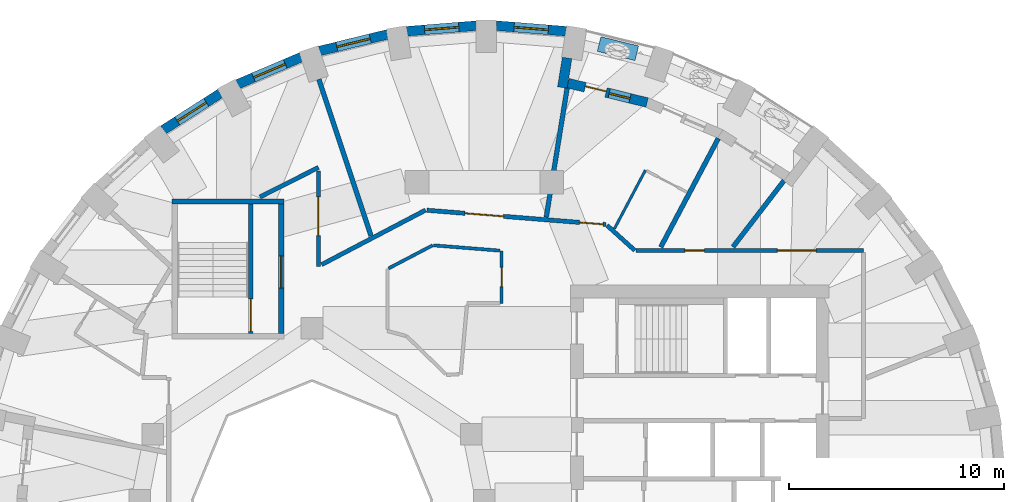
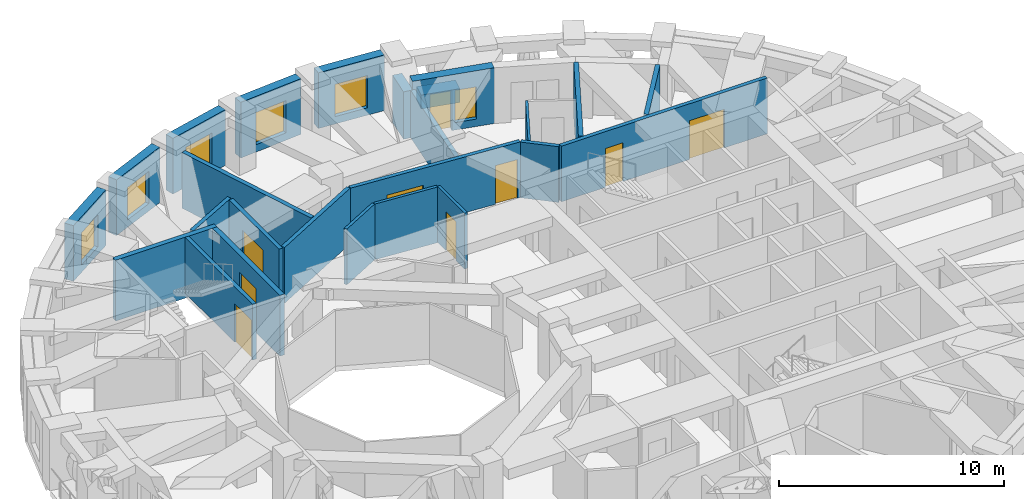
# One storey, part 7 of 12: 25 walls, 9 doors, 6 windows, 15 openings.
"""IFC4 building model written with IfcOpenShell, lengths in metres."""

import ifcopenshell
import ifcopenshell.guid

model = None  # the IFC model being written
_history = None  # IfcOwnerHistory: only IFC2X3 demands one
_inside = {}  # id of a spatial element -> (the spatial element, [elements in it])
_under = {}  # id of a project, library or spatial element -> (it, [spatial elements below it])
_declared = {}  # id of a project -> (the project, [libraries it declares])
_typed = {}  # id of a type object -> (the type object, [elements of that type])
_made_of = {}  # id of a material, layer set ... -> (it, [elements and type objects made of it])


def new_model(schema):
    """Start an empty IFC model of exactly this schema.

    Asked for "IFC4X3", IfcOpenShell would pick the latest addendum, in which some entities
    have other attributes; the version numbers below select the first issue.
    IFC2X3 requires an IfcOwnerHistory on every rooted entity: one is made here for all.
    """
    global model, _history
    if schema == "IFC4X3":
        model = ifcopenshell.file(schema_version=(4, 3, 0, 0))
    else:
        model = ifcopenshell.file(schema=schema)
    _inside.clear()
    _under.clear()
    _declared.clear()
    _typed.clear()
    _made_of.clear()
    _history = None
    if model.schema == "IFC2X3":
        org = make("IfcOrganization", Name="unknown")
        user = make(
            "IfcPersonAndOrganization",
            ThePerson=make("IfcPerson", FamilyName="unknown"),
            TheOrganization=org,
        )
        app = make(
            "IfcApplication",
            ApplicationDeveloper=org,
            Version="unknown",
            ApplicationFullName="unknown",
            ApplicationIdentifier="unknown",
        )
        _history = make(
            "IfcOwnerHistory",
            OwningUser=user,
            OwningApplication=app,
            ChangeAction="ADDED",
            CreationDate=0,
        )
    return model


def make(cls, **values):
    """One entity of the class cls with the attributes given. An attribute that is None is left unset."""
    return model.create_entity(
        cls, **{name: value for name, value in values.items() if value is not None}
    )


def rooted(cls, **values):
    """An entity with a GlobalId (a new one), such as an element, a storey or a relation."""
    return make(cls, GlobalId=ifcopenshell.guid.new(), OwnerHistory=_history, **values)


def si_unit(unit_type, name, prefix=None):
    """IfcSIUnit, for example si_unit("LENGTHUNIT", "METRE", prefix="MILLI")."""
    return make("IfcSIUnit", UnitType=unit_type, Prefix=prefix, Name=name)


def assignment(units):
    """IfcUnitAssignment: the units of a project."""
    return None if units is None else make("IfcUnitAssignment", Units=units)


def point(xyz):
    """IfcCartesianPoint."""
    return None if xyz is None else make("IfcCartesianPoint", Coordinates=xyz)


def direction(xyz):
    """IfcDirection."""
    return None if xyz is None else make("IfcDirection", DirectionRatios=xyz)


def frame(location, z_axis=None, x_axis=None):
    """IfcAxis2Placement3D, a coordinate frame: its origin and axes. An axis left out is left unset."""
    return make(
        "IfcAxis2Placement3D",
        Location=point(location),
        Axis=direction(z_axis),
        RefDirection=direction(x_axis),
    )


def frame_2d(location, x_axis=None):
    """IfcAxis2Placement2D, a coordinate frame in the plane: its origin and x axis."""
    return make(
        "IfcAxis2Placement2D", Location=point(location), RefDirection=direction(x_axis)
    )


def origin():
    """The frame at (0, 0, 0) with its axes left unset."""
    return frame((0.0, 0.0, 0.0))


def place(relative_to, where):
    """IfcLocalPlacement: puts the frame where relative to a parent placement (None: the world)."""
    return make(
        "IfcLocalPlacement", PlacementRelTo=relative_to, RelativePlacement=where
    )


def context(
    kind, dimensions, precision=None, world=None, true_north=None, identifier=None
):
    """IfcGeometricRepresentationContext, for example the 3D "Model" context."""
    return make(
        "IfcGeometricRepresentationContext",
        ContextIdentifier=identifier,
        ContextType=kind,
        CoordinateSpaceDimension=dimensions,
        Precision=precision,
        WorldCoordinateSystem=world,
        TrueNorth=true_north,
    )


def subcontext(parent, identifier, kind, view, scale=None):
    """IfcGeometricRepresentationSubContext, for example "Body" below "Model"."""
    return make(
        "IfcGeometricRepresentationSubContext",
        ContextIdentifier=identifier,
        ContextType=kind,
        ParentContext=parent,
        TargetScale=scale,
        TargetView=view,
    )


def project(units=None, contexts=None):
    """IfcProject with its units and contexts."""
    return rooted(
        "IfcProject",
        Name="project",
        RepresentationContexts=contexts,
        UnitsInContext=assignment(units),
    )


def spatial(cls, under=None, at=None, **own):
    """A site, building, storey or space (cls), placed at a placement, below another one or the project."""
    s = rooted(cls, ObjectPlacement=at, **own)
    if under is not None:
        _under.setdefault(under.id(), (under, []))[1].append(s)
    return s


def profile(cls, at=None, kind="AREA", **sizes):
    """A parametric profile (cls). Its sizes go by their IFC names, for example OverallWidth=200.0."""
    return make(cls, ProfileType=kind, Position=at, **sizes)


def rectangle(**sizes):
    """IfcRectangleProfileDef."""
    return profile("IfcRectangleProfileDef", **sizes)


def extrude(swept, where, along, depth):
    """IfcExtrudedAreaSolid: the profile swept, set in the frame where, extruded along a direction by depth."""
    return make(
        "IfcExtrudedAreaSolid",
        SweptArea=swept,
        Position=where,
        ExtrudedDirection=direction(along),
        Depth=depth,
    )


def shape(context_of_items, identifier, shape_type, items):
    """IfcShapeRepresentation: the items that make up one representation, for example the "Body"."""
    return make(
        "IfcShapeRepresentation",
        ContextOfItems=context_of_items,
        RepresentationIdentifier=identifier,
        RepresentationType=shape_type,
        Items=items,
    )


def material(Name=None, Category=None):
    """IfcMaterial."""
    return make("IfcMaterial", Name=Name, Category=Category)


def layer(
    of_material, thickness, ventilated=None, Name=None, Category=None, Priority=None
):
    """IfcMaterialLayer: one layer of a wall or slab, of a material (None: an air gap)."""
    return make(
        "IfcMaterialLayer",
        Material=of_material,
        LayerThickness=thickness,
        IsVentilated=ventilated,
        Name=Name,
        Category=Category,
        Priority=Priority,
    )


def layer_set(layers, Name=None):
    """IfcMaterialLayerSet."""
    return make("IfcMaterialLayerSet", MaterialLayers=layers, LayerSetName=Name)


def constituent(of_material, Name=None, Category=None, fraction=None):
    """IfcMaterialConstituent: one of the materials an element consists of."""
    return make(
        "IfcMaterialConstituent",
        Name=Name,
        Material=of_material,
        Fraction=fraction,
        Category=Category,
    )


def constituent_set(constituents=None, Name=None):
    """IfcMaterialConstituentSet."""
    return make(
        "IfcMaterialConstituentSet", Name=Name, MaterialConstituents=constituents
    )


def made_of(thing, what):
    """Note that an element or type object is made of a material, layer set ...; save() writes the relation."""
    if what is not None:
        _made_of.setdefault(what.id(), (what, []))[1].append(thing)
    return thing


def type_object(cls, material=None, **own):
    """A type object (cls), such as IfcWallType, which elements share."""
    return made_of(rooted(cls, **own), material)


def element(
    cls,
    number,
    at=None,
    inside=None,
    cuts=None,
    type_object=None,
    material=None,
    context=None,
    identifier="Body",
    shape_type=None,
    held_by="IfcProductDefinitionShape",
    body=None,
    shapes=None,
    **own,
):
    """One element of the class cls, such as IfcWall. Its Tag is "e" and its number.

    at: its placement. inside: the storey or other place that contains it. cuts: it is an
    opening in that element (IfcRelVoidsElement). A single representation is given by context,
    identifier, shape_type and body (its items); several are given by shapes. held_by: the class
    of the entity that holds the representations. save() writes the other relations.
    """
    e = rooted(cls, Tag="e%d" % number, ObjectPlacement=at, **own)
    if body is not None:
        shapes = [shape(context, identifier, shape_type, body)]
    if shapes is not None:
        e.Representation = make(held_by, Representations=shapes)
    if inside is not None:
        _inside.setdefault(inside.id(), (inside, []))[1].append(e)
    if cuts is not None:
        rooted(
            "IfcRelVoidsElement", RelatingBuildingElement=cuts, RelatedOpeningElement=e
        )
    if type_object is not None:
        _typed.setdefault(type_object.id(), (type_object, []))[1].append(e)
    return made_of(e, material)


def fill(opening, filler):
    """IfcRelFillsElement: the door or window that sits in an opening."""
    return rooted(
        "IfcRelFillsElement",
        RelatingOpeningElement=opening,
        RelatedBuildingElement=filler,
    )


def aggregate(whole, parts):
    """IfcRelAggregates: a whole, such as a stair, and the parts it consists of."""
    return rooted("IfcRelAggregates", RelatingObject=whole, RelatedObjects=parts)


def save(model, path):
    """Write the relations noted so far, then the file.

    IfcRelAggregates (storeys below a building ...), IfcRelContainedInSpatialStructure (elements
    in a storey), IfcRelDefinesByType, IfcRelAssociatesMaterial and IfcRelDeclares: one each for
    every whole, place, type object, material and project.
    """
    for whole, parts in _under.values():
        aggregate(whole, parts)
    for where, things in _inside.values():
        rooted(
            "IfcRelContainedInSpatialStructure",
            RelatedElements=things,
            RelatingStructure=where,
        )
    for kind, things in _typed.values():
        rooted("IfcRelDefinesByType", RelatedObjects=things, RelatingType=kind)
    for what, things in _made_of.values():
        rooted("IfcRelAssociatesMaterial", RelatedObjects=things, RelatingMaterial=what)
    for by, libraries in _declared.values():
        rooted("IfcRelDeclares", RelatingContext=by, RelatedDefinitions=libraries)
    model.write(path)


model = new_model("IFC4")

# Units and contexts
model_context = context("Model", 3, precision=1e-05, world=origin(), true_north=direction((0.0, 1.0)))
body_context = subcontext(model_context, "Body", "Model", "MODEL_VIEW")
ifc_project = project(units=[si_unit("LENGTHUNIT", "METRE"), si_unit("AREAUNIT", "SQUARE_METRE"), si_unit("VOLUMEUNIT", "CUBIC_METRE"), si_unit("PLANEANGLEUNIT", "RADIAN"), si_unit("MASSUNIT", "GRAM", prefix="KILO")], contexts=[model_context])

# Site, building, storey
site_placement = place(None, origin())
site = spatial("IfcSite", under=ifc_project, at=site_placement, CompositionType="ELEMENT")
building_placement = place(site_placement, origin())
building = spatial("IfcBuilding", under=site, at=building_placement, Name="Taillehof Tower", CompositionType="ELEMENT")
storey_placement = place(building_placement, frame((0.0, 0.0, 145.10009765625)))
storey = spatial("IfcBuildingStorey", under=building, at=storey_placement, Name="L40", CompositionType="ELEMENT", Elevation=145.10009765625)

# Wall, opening, window
ifc_material_1 = material(Name="Brick masonry", Category="masonry")
ifc_layer_1 = layer(ifc_material_1, 0.449951171875)
ifc_layer_set_1 = layer_set([ifc_layer_1], Name="Brick infill wall 450")
wall_type_1 = type_object("IfcWallType", Name="Brick infill wall 450", PredefinedType="SOLIDWALL", material=ifc_layer_set_1)
wall_1_placement = place(storey_placement, frame((3.80078125, 21.778076171875, 0.0), z_axis=(0.0, 0.0, 1.0), x_axis=(-0.996812416891, 0.079780984773, 0.0)))
wall_1 = element("IfcWall", 1, at=wall_1_placement, inside=storey, type_object=wall_type_1, Name="Brick wall L40 bay 9", PredefinedType="SOLIDWALL", context=body_context, shape_type="SweptSolid", body=[
    extrude(rectangle(XDim=3.256103515625, YDim=0.449951171875, at=frame_2d((1.6279296875, 0.0))), origin(), (0.0, 0.0, 1.0), 3.02001953125),
])
opening_1_placement = place(wall_1_placement, frame((0.827880859375, 0.0, 0.39990234375)))
opening_1 = element("IfcOpeningElement", 2, at=opening_1_placement, cuts=wall_1, Name="Opening W3", PredefinedType="OPENING", context=body_context, shape_type="SweptSolid", body=[
    extrude(rectangle(XDim=1.60009765625, YDim=1.75, at=frame_2d((0.800048828125, 0.875))), frame((0.0, 0.23486328125, 0.0), z_axis=(0.0, -1.0, 0.0), x_axis=(1.0, 0.0, 0.0)), (0.0, 0.0, 1.0), 0.469970703125),
])
ifc_material_2 = material(Name="Aluminium window frame with clear double glazing", Category="aluminium")
window_type_1 = type_object("IfcWindowType", Name="Deep-set window 1600x1750", PartitioningType="SINGLE_PANEL", PredefinedType="WINDOW", material=ifc_material_2)
window_1_placement = place(opening_1_placement, origin())
window_1 = element("IfcWindow", 3, at=window_1_placement, inside=storey, type_object=window_type_1, Name="W3", OverallHeight=1.75, OverallWidth=1.60009765625, PartitioningType="SINGLE_PANEL", PredefinedType="WINDOW", context=body_context, shape_type="SweptSolid", body=[
    extrude(rectangle(XDim=1.60009765625, YDim=1.75, at=frame_2d((0.800048828125, 0.875))), frame((0.0, 0.034912109375, 0.0), z_axis=(0.0, -1.0, 0.0), x_axis=(1.0, 0.0, 0.0)), (0.0, 0.0, 1.0), 0.06005859375),
])
fill(opening_1, window_1)

wall_2_placement = place(storey_placement, frame((-0.35498046875, 22.037841796875, 0.0), z_axis=(0.0, 0.0, 1.0), x_axis=(-0.996812416891, -0.079780984773, 0.0)))
wall_2 = element("IfcWall", 4, at=wall_2_placement, inside=storey, type_object=wall_type_1, Name="Brick wall L40 bay 10", PredefinedType="SOLIDWALL", context=body_context, shape_type="SweptSolid", body=[
    extrude(rectangle(XDim=3.256103515625, YDim=0.449951171875, at=frame_2d((1.6279296875, 0.0))), origin(), (0.0, 0.0, 1.0), 3.02001953125),
])
opening_2_placement = place(wall_2_placement, frame((0.827880859375, 0.0, 0.39990234375)))
opening_2 = element("IfcOpeningElement", 5, at=opening_2_placement, cuts=wall_2, Name="Opening W3", PredefinedType="OPENING", context=body_context, shape_type="SweptSolid", body=[
    extrude(rectangle(XDim=1.60009765625, YDim=1.75, at=frame_2d((0.800048828125, 0.875))), frame((0.0, 0.23486328125, 0.0), z_axis=(0.0, -1.0, 0.0), x_axis=(1.0, 0.0, 0.0)), (0.0, 0.0, 1.0), 0.469970703125),
])
window_2_placement = place(opening_2_placement, origin())
window_2 = element("IfcWindow", 6, at=window_2_placement, inside=storey, type_object=window_type_1, Name="W3", OverallHeight=1.75, OverallWidth=1.60009765625, PartitioningType="SINGLE_PANEL", PredefinedType="WINDOW", context=body_context, shape_type="SweptSolid", body=[
    extrude(rectangle(XDim=1.60009765625, YDim=1.75, at=frame_2d((0.800048828125, 0.875))), frame((0.0, 0.034912109375, 0.0), z_axis=(0.0, -1.0, 0.0), x_axis=(1.0, 0.0, 0.0)), (0.0, 0.0, 1.0), 0.06005859375),
])
fill(opening_2, window_2)

wall_3_placement = place(storey_placement, frame((-4.499267578125, 21.633056640625, 0.0), z_axis=(0.0, 0.0, 1.0), x_axis=(-0.971232901476, -0.238131583563, 0.0)))
wall_3 = element("IfcWall", 7, at=wall_3_placement, inside=storey, type_object=wall_type_1, Name="Brick wall L40 bay 11", PredefinedType="SOLIDWALL", context=body_context, shape_type="SweptSolid", body=[
    extrude(rectangle(XDim=3.236572265625, YDim=0.449951171875, at=frame_2d((1.6181640625, 0.0))), origin(), (0.0, 0.0, 1.0), 3.02001953125),
])
opening_3_placement = place(wall_3_placement, frame((0.818359375, 0.0, 0.39990234375)))
opening_3 = element("IfcOpeningElement", 8, at=opening_3_placement, cuts=wall_3, Name="Opening W3", PredefinedType="OPENING", context=body_context, shape_type="SweptSolid", body=[
    extrude(rectangle(XDim=1.60009765625, YDim=1.75, at=frame_2d((0.800048828125, 0.875))), frame((0.0, 0.23486328125, 0.0), z_axis=(0.0, -1.0, 0.0), x_axis=(1.0, 0.0, 0.0)), (0.0, 0.0, 1.0), 0.469970703125),
])
window_3_placement = place(opening_3_placement, origin())
window_3 = element("IfcWindow", 9, at=window_3_placement, inside=storey, type_object=window_type_1, Name="W3", OverallHeight=1.75, OverallWidth=1.60009765625, PartitioningType="SINGLE_PANEL", PredefinedType="WINDOW", context=body_context, shape_type="SweptSolid", body=[
    extrude(rectangle(XDim=1.60009765625, YDim=1.75, at=frame_2d((0.800048828125, 0.875))), frame((0.0, 0.034912109375, 0.0), z_axis=(0.0, -1.0, 0.0), x_axis=(1.0, 0.0, 0.0)), (0.0, 0.0, 1.0), 0.06005859375),
])
fill(opening_3, window_3)

wall_4_placement = place(storey_placement, frame((-8.50634765625, 20.574462890625, 0.0), z_axis=(0.0, 0.0, 1.0), x_axis=(-0.919798725687, -0.392390499663, 0.0)))
wall_4 = element("IfcWall", 10, at=wall_4_placement, inside=storey, type_object=wall_type_1, Name="Brick wall L40 bay 12", PredefinedType="SOLIDWALL", context=body_context, shape_type="SweptSolid", body=[
    extrude(rectangle(XDim=3.200439453125, YDim=0.449951171875, at=frame_2d((1.60009765625, 0.0))), origin(), (0.0, 0.0, 1.0), 3.02001953125),
])
opening_4_placement = place(wall_4_placement, frame((0.80029296875, 0.0, 0.39990234375)))
opening_4 = element("IfcOpeningElement", 11, at=opening_4_placement, cuts=wall_4, Name="Opening W3", PredefinedType="OPENING", context=body_context, shape_type="SweptSolid", body=[
    extrude(rectangle(XDim=1.60009765625, YDim=1.75, at=frame_2d((0.800048828125, 0.875))), frame((0.0, 0.23486328125, 0.0), z_axis=(0.0, -1.0, 0.0), x_axis=(1.0, 0.0, 0.0)), (0.0, 0.0, 1.0), 0.469970703125),
])
window_4_placement = place(opening_4_placement, origin())
window_4 = element("IfcWindow", 12, at=window_4_placement, inside=storey, type_object=window_type_1, Name="W3", OverallHeight=1.75, OverallWidth=1.60009765625, PartitioningType="SINGLE_PANEL", PredefinedType="WINDOW", context=body_context, shape_type="SweptSolid", body=[
    extrude(rectangle(XDim=1.60009765625, YDim=1.75, at=frame_2d((0.800048828125, 0.875))), frame((0.0, 0.034912109375, 0.0), z_axis=(0.0, -1.0, 0.0), x_axis=(1.0, 0.0, 0.0)), (0.0, 0.0, 1.0), 0.06005859375),
])
fill(opening_4, window_4)

wall_5_placement = place(storey_placement, frame((-12.2548828125, 18.893310546875, 0.0), z_axis=(0.0, 0.0, 1.0), x_axis=(-0.842030726237, -0.539429565442, 0.0)))
wall_5 = element("IfcWall", 13, at=wall_5_placement, inside=storey, type_object=wall_type_1, Name="Brick wall L40 bay 13", PredefinedType="SOLIDWALL", context=body_context, shape_type="SweptSolid", body=[
    extrude(rectangle(XDim=3.1513671875, YDim=0.449951171875, at=frame_2d((1.57568359375, 0.0))), origin(), (0.0, 0.0, 1.0), 3.02001953125),
])
opening_5_placement = place(wall_5_placement, frame((0.775634765625, 0.0, 0.39990234375)))
opening_5 = element("IfcOpeningElement", 14, at=opening_5_placement, cuts=wall_5, Name="Opening W3", PredefinedType="OPENING", context=body_context, shape_type="SweptSolid", body=[
    extrude(rectangle(XDim=1.60009765625, YDim=1.75, at=frame_2d((0.800048828125, 0.875))), frame((0.0, 0.23486328125, 0.0), z_axis=(0.0, -1.0, 0.0), x_axis=(1.0, 0.0, 0.0)), (0.0, 0.0, 1.0), 0.469970703125),
])
window_5_placement = place(opening_5_placement, origin())
window_5 = element("IfcWindow", 15, at=window_5_placement, inside=storey, type_object=window_type_1, Name="W3", OverallHeight=1.75, OverallWidth=1.60009765625, PartitioningType="SINGLE_PANEL", PredefinedType="WINDOW", context=body_context, shape_type="SweptSolid", body=[
    extrude(rectangle(XDim=1.60009765625, YDim=1.75, at=frame_2d((0.800048828125, 0.875))), frame((0.0, 0.034912109375, 0.0), z_axis=(0.0, -1.0, 0.0), x_axis=(1.0, 0.0, 0.0)), (0.0, 0.0, 1.0), 0.06005859375),
])
fill(opening_5, window_5)

# Wall
wall_6_placement = place(storey_placement, frame((3.84375, 20.537841796875, 0.0), z_axis=(0.0, 0.0, 1.0), x_axis=(-0.159641024018, -0.98717513312, 0.0)))
element("IfcWall", 16, at=wall_6_placement, inside=storey, type_object=wall_type_1, Name="Brick reveal L40 pocket 1", PredefinedType="SOLIDWALL", context=body_context, shape_type="SweptSolid", body=[
    extrude(rectangle(XDim=1.39013671875, YDim=0.449951171875, at=frame_2d((0.695068359375, 0.0))), origin(), (0.0, 0.0, 1.0), 2.56982421875),
])

# Wall, openings, door, window
wall_7_placement = place(storey_placement, frame((7.56298828125, 18.46630859375, 0.0), z_axis=(0.0, 0.0, 1.0), x_axis=(-0.97110866251, 0.238637728782, 0.0)))
wall_7 = element("IfcWall", 17, at=wall_7_placement, inside=storey, type_object=wall_type_1, Name="Brick wall L40 pocket bay 8", PredefinedType="SOLIDWALL", context=body_context, shape_type="SweptSolid", body=[
    extrude(rectangle(XDim=3.789306640625, YDim=0.449951171875, at=frame_2d((1.89453125, 0.0))), origin(), (0.0, 0.0, 1.0), 3.02001953125),
])
opening_6_placement = place(wall_7_placement, frame((0.81982421875, 0.0, 0.39990234375)))
opening_6 = element("IfcOpeningElement", 18, at=opening_6_placement, cuts=wall_7, Name="Opening W5", PredefinedType="OPENING", context=body_context, shape_type="SweptSolid", body=[
    extrude(rectangle(XDim=1.0, YDim=1.75, at=frame_2d((0.5, 0.875))), frame((0.0, 0.23486328125, 0.0), z_axis=(0.0, -1.0, 0.0), x_axis=(1.0, 0.0, 0.0)), (0.0, 0.0, 1.0), 0.469970703125),
])
opening_7_placement = place(wall_7_placement, frame((1.9697265625, 0.0, 0.0)))
opening_7 = element("IfcOpeningElement", 19, at=opening_7_placement, cuts=wall_7, Name="Opening D4096", PredefinedType="OPENING", context=body_context, shape_type="SweptSolid", body=[
    extrude(rectangle(XDim=1.0, YDim=2.14990234375, at=frame_2d((0.5, 1.074951171875))), frame((0.0, 0.23486328125, 0.0), z_axis=(0.0, -1.0, 0.0), x_axis=(1.0, 0.0, 0.0)), (0.0, 0.0, 1.0), 0.469970703125),
])
ifc_material_3 = material(Name="Aluminium door frame with clear double glazing", Category="aluminium")
door_type_1 = type_object("IfcDoorType", Name="Balcony door 1000x2150", OperationType="SINGLE_SWING_RIGHT", PredefinedType="DOOR", material=ifc_material_3)
door_1_placement = place(opening_7_placement, frame((1.0, 0.0, 0.0), z_axis=(0.0, 0.0, 1.0), x_axis=(-1.0, 0.0, 0.0)))
door_1 = element("IfcDoor", 20, at=door_1_placement, inside=storey, type_object=door_type_1, Name="Balcony door L40 bay 8", OperationType="SINGLE_SWING_LEFT", OverallHeight=2.14990234375, OverallWidth=1.0, PredefinedType="DOOR", context=body_context, shape_type="SweptSolid", body=[
    extrude(rectangle(XDim=1.0, YDim=2.14990234375, at=frame_2d((0.5, 1.074951171875))), frame((0.0, 0.0751953125, 0.0), z_axis=(0.0, -1.0, 0.0), x_axis=(1.0, 0.0, 0.0)), (0.0, 0.0, 1.0), 0.050048828125),
])
fill(opening_7, door_1)
ifc_material_4 = material(Name="Aluminium window frame with clear double glazing", Category="aluminium")
window_type_2 = type_object("IfcWindowType", Name="Fixed window 1000x1750", PartitioningType="SINGLE_PANEL", PredefinedType="WINDOW", material=ifc_material_4)
window_6_placement = place(opening_6_placement, origin())
window_6 = element("IfcWindow", 21, at=window_6_placement, inside=storey, type_object=window_type_2, Name="W5", OverallHeight=1.75, OverallWidth=1.0, PartitioningType="SINGLE_PANEL", PredefinedType="WINDOW", context=body_context, shape_type="SweptSolid", body=[
    extrude(rectangle(XDim=1.0, YDim=1.75, at=frame_2d((0.5, 0.875))), frame((0.0, 0.034912109375, 0.0), z_axis=(0.0, -1.0, 0.0), x_axis=(1.0, 0.0, 0.0)), (0.0, 0.0, 1.0), 0.06005859375),
])
fill(opening_6, window_6)

# Wall
ifc_material_5 = material(Name="Gypsum board on steel studs, two layers each side", Category="steel")
ifc_layer_2 = layer(ifc_material_5, 0.199951171875)
ifc_layer_set_2 = layer_set([ifc_layer_2], Name="Compartment wall corridor 200")
wall_type_2 = type_object("IfcWallType", Name="Compartment wall corridor 200", PredefinedType="PARTITIONING", material=ifc_layer_set_2)
wall_8_placement = place(storey_placement, frame((-10.416259765625, 14.08154296875, 0.0), z_axis=(0.0, 0.0, 1.0), x_axis=(0.892396808139, 0.451251522793, 0.0)))
element("IfcWall", 22, at=wall_8_placement, inside=storey, type_object=wall_type_2, Name="Compartment wall", PredefinedType="PARTITIONING", context=body_context, shape_type="SweptSolid", body=[
    extrude(rectangle(XDim=3.0439453125, YDim=0.199951171875, at=frame_2d((1.52197265625, 0.0))), origin(), (0.0, 0.0, 1.0), 3.02001953125),
])

# Wall, opening, door
wall_9_placement = place(storey_placement, frame((-7.699951171875, 15.294921875, 0.0), z_axis=(0.0, 0.0, 1.0), x_axis=(0.0, -1.0, 0.0)))
wall_9 = element("IfcWall", 23, at=wall_9_placement, inside=storey, type_object=wall_type_2, Name="Compartment wall", PredefinedType="PARTITIONING", context=body_context, shape_type="SweptSolid", body=[
    extrude(rectangle(XDim=4.42724609375, YDim=0.199951171875, at=frame_2d((2.213623046875, 0.0))), origin(), (0.0, 0.0, 1.0), 3.02001953125),
])
opening_8_placement = place(wall_9_placement, frame((1.20703125, 0.0, 0.0)))
opening_8 = element("IfcOpeningElement", 24, at=opening_8_placement, cuts=wall_9, Name="Opening D4044", PredefinedType="OPENING", context=body_context, shape_type="SweptSolid", body=[
    extrude(rectangle(XDim=1.800048828125, YDim=2.10009765625, at=frame_2d((0.89990234375, 1.050048828125))), frame((0.0, 0.10986328125, 0.0), z_axis=(0.0, -1.0, 0.0), x_axis=(1.0, 0.0, 0.0)), (0.0, 0.0, 1.0), 0.219970703125),
])
ifc_material_6 = material(Name="Timber door leaf in steel frame", Category="steel")
door_type_2 = type_object("IfcDoorType", Name="Lounge and meeting room double door EI 30 1800 x 2100", OperationType="SINGLE_SWING_LEFT", PredefinedType="DOOR", material=ifc_material_6)
door_2_placement = place(opening_8_placement, origin())
door_2 = element("IfcDoor", 25, at=door_2_placement, inside=storey, type_object=door_type_2, Name="D4044", OperationType="DOUBLE_DOOR_SINGLE_SWING", OverallHeight=2.10009765625, OverallWidth=1.800048828125, PredefinedType="DOOR", context=body_context, shape_type="SweptSolid", body=[
    extrude(rectangle(XDim=1.800048828125, YDim=2.10009765625, at=frame_2d((0.89990234375, 1.050048828125))), frame((0.0, 0.02490234375, 0.0), z_axis=(0.0, -1.0, 0.0), x_axis=(1.0, 0.0, 0.0)), (0.0, 0.0, 1.0), 0.050048828125),
])
fill(opening_8, door_2)

# Wall
wall_10_placement = place(storey_placement, frame((-7.557373046875, 10.94189453125, 0.0), z_axis=(0.0, 0.0, 1.0), x_axis=(0.885672830659, 0.464309850244, 0.0)))
element("IfcWall", 26, at=wall_10_placement, inside=storey, type_object=wall_type_2, Name="Compartment wall", PredefinedType="PARTITIONING", context=body_context, shape_type="SweptSolid", body=[
    extrude(rectangle(XDim=5.45166015625, YDim=0.199951171875, at=frame_2d((2.725830078125, 0.0))), origin(), (0.0, 0.0, 1.0), 3.02001953125),
])

# Wall, openings, doors
wall_11_placement = place(storey_placement, frame((-2.6689453125, 13.468017578125, 0.0), z_axis=(0.0, 0.0, 1.0), x_axis=(0.996831622407, -0.079540659849, 0.0)))
wall_11 = element("IfcWall", 27, at=wall_11_placement, inside=storey, type_object=wall_type_2, Name="Compartment wall", PredefinedType="PARTITIONING", context=body_context, shape_type="SweptSolid", body=[
    extrude(rectangle(XDim=8.3486328125, YDim=0.199951171875, at=frame_2d((4.17431640625, 0.0))), origin(), (0.0, 0.0, 1.0), 3.02001953125),
])
opening_9_placement = place(wall_11_placement, frame((7.108642578125, 0.0, 0.0)))
opening_9 = element("IfcOpeningElement", 28, at=opening_9_placement, cuts=wall_11, Name="Opening D4041", PredefinedType="OPENING", context=body_context, shape_type="SweptSolid", body=[
    extrude(rectangle(XDim=1.10009765625, YDim=2.10009765625, at=frame_2d((0.550048828125, 1.050048828125))), frame((0.0, 0.10986328125, 0.0), z_axis=(0.0, -1.0, 0.0), x_axis=(1.0, 0.0, 0.0)), (0.0, 0.0, 1.0), 0.219970703125),
])
opening_10_placement = place(wall_11_placement, frame((1.774658203125, 0.0, 0.0)))
opening_10 = element("IfcOpeningElement", 29, at=opening_10_placement, cuts=wall_11, Name="Opening D4043", PredefinedType="OPENING", context=body_context, shape_type="SweptSolid", body=[
    extrude(rectangle(XDim=1.800048828125, YDim=2.10009765625, at=frame_2d((0.89990234375, 1.050048828125))), frame((0.0, 0.10986328125, 0.0), z_axis=(0.0, -1.0, 0.0), x_axis=(1.0, 0.0, 0.0)), (0.0, 0.0, 1.0), 0.219970703125),
])
ifc_material_7 = material(Name="Timber door leaf in steel frame", Category="steel")
door_type_3 = type_object("IfcDoorType", Name="Accessible guest room door EI 30 1100 x 2100", OperationType="SINGLE_SWING_LEFT", PredefinedType="DOOR", material=ifc_material_7)
door_3_placement = place(opening_9_placement, origin())
door_3 = element("IfcDoor", 30, at=door_3_placement, inside=storey, type_object=door_type_3, Name="D4041", OperationType="SINGLE_SWING_LEFT", OverallHeight=2.10009765625, OverallWidth=1.10009765625, PredefinedType="DOOR", context=body_context, shape_type="SweptSolid", body=[
    extrude(rectangle(XDim=1.10009765625, YDim=2.10009765625, at=frame_2d((0.550048828125, 1.050048828125))), frame((0.0, 0.02490234375, 0.0), z_axis=(0.0, -1.0, 0.0), x_axis=(1.0, 0.0, 0.0)), (0.0, 0.0, 1.0), 0.050048828125),
])
fill(opening_9, door_3)
door_4_placement = place(opening_10_placement, origin())
door_4 = element("IfcDoor", 31, at=door_4_placement, inside=storey, type_object=door_type_2, Name="D4043", OperationType="DOUBLE_DOOR_SINGLE_SWING", OverallHeight=2.10009765625, OverallWidth=1.800048828125, PredefinedType="DOOR", context=body_context, shape_type="SweptSolid", body=[
    extrude(rectangle(XDim=1.800048828125, YDim=2.10009765625, at=frame_2d((0.89990234375, 1.050048828125))), frame((0.0, 0.02490234375, 0.0), z_axis=(0.0, -1.0, 0.0), x_axis=(1.0, 0.0, 0.0)), (0.0, 0.0, 1.0), 0.050048828125),
])
fill(opening_10, door_4)

# Wall
wall_12_placement = place(storey_placement, frame((5.697998046875, 12.763671875, 0.0), z_axis=(0.0, 0.0, 1.0), x_axis=(0.742944876657, -0.669352605321, 0.0)))
element("IfcWall", 32, at=wall_12_placement, inside=storey, type_object=wall_type_2, Name="Compartment wall", PredefinedType="PARTITIONING", context=body_context, shape_type="SweptSolid", body=[
    extrude(rectangle(XDim=1.73828125, YDim=0.199951171875, at=frame_2d((0.869140625, 0.0))), origin(), (0.0, 0.0, 1.0), 3.02001953125),
])

# Wall, openings, doors
wall_13_placement = place(storey_placement, frame((7.049560546875, 11.60009765625, 0.0), z_axis=(0.0, 0.0, 1.0), x_axis=(1.0, 0.0, 0.0)))
wall_13 = element("IfcWall", 33, at=wall_13_placement, inside=storey, type_object=wall_type_2, Name="Compartment wall", PredefinedType="PARTITIONING", context=body_context, shape_type="SweptSolid", body=[
    extrude(rectangle(XDim=10.550537109375, YDim=0.199951171875, at=frame_2d((5.275390625, 0.0))), origin(), (0.0, 0.0, 1.0), 3.02001953125),
])
opening_11_placement = place(wall_13_placement, frame((2.263671875, 0.0, 0.0)))
opening_11 = element("IfcOpeningElement", 34, at=opening_11_placement, cuts=wall_13, Name="Opening D4040", PredefinedType="OPENING", context=body_context, shape_type="SweptSolid", body=[
    extrude(rectangle(XDim=0.89990234375, YDim=2.10009765625, at=frame_2d((0.449951171875, 1.050048828125))), frame((0.0, 0.10986328125, 0.0), z_axis=(0.0, -1.0, 0.0), x_axis=(1.0, 0.0, 0.0)), (0.0, 0.0, 1.0), 0.219970703125),
])
opening_12_placement = place(wall_13_placement, frame((6.552734375, 0.0, 0.0)))
opening_12 = element("IfcOpeningElement", 35, at=opening_12_placement, cuts=wall_13, Name="Opening D4059", PredefinedType="OPENING", context=body_context, shape_type="SweptSolid", body=[
    extrude(rectangle(XDim=1.800048828125, YDim=2.10009765625, at=frame_2d((0.89990234375, 1.050048828125))), frame((0.0, 0.10986328125, 0.0), z_axis=(0.0, -1.0, 0.0), x_axis=(1.0, 0.0, 0.0)), (0.0, 0.0, 1.0), 0.219970703125),
])
door_5_placement = place(opening_12_placement, origin())
door_5 = element("IfcDoor", 36, at=door_5_placement, inside=storey, type_object=door_type_2, Name="D4059", OperationType="DOUBLE_DOOR_SINGLE_SWING", OverallHeight=2.10009765625, OverallWidth=1.800048828125, PredefinedType="DOOR", context=body_context, shape_type="SweptSolid", body=[
    extrude(rectangle(XDim=1.800048828125, YDim=2.10009765625, at=frame_2d((0.89990234375, 1.050048828125))), frame((0.0, 0.02490234375, 0.0), z_axis=(0.0, -1.0, 0.0), x_axis=(1.0, 0.0, 0.0)), (0.0, 0.0, 1.0), 0.050048828125),
])
fill(opening_12, door_5)
ifc_material_8 = material(Name="Timber door leaf in steel frame", Category="steel")
door_type_4 = type_object("IfcDoorType", Name="Service room door EI 30 900 x 2100", OperationType="SINGLE_SWING_LEFT", PredefinedType="DOOR", material=ifc_material_8)
door_6_placement = place(opening_11_placement, origin())
door_6 = element("IfcDoor", 37, at=door_6_placement, inside=storey, type_object=door_type_4, Name="D4040", OperationType="SINGLE_SWING_LEFT", OverallHeight=2.10009765625, OverallWidth=0.89990234375, PredefinedType="DOOR", context=body_context, shape_type="SweptSolid", body=[
    extrude(rectangle(XDim=0.89990234375, YDim=2.10009765625, at=frame_2d((0.449951171875, 1.050048828125))), frame((0.0, 0.02490234375, 0.0), z_axis=(0.0, -1.0, 0.0), x_axis=(1.0, 0.0, 0.0)), (0.0, 0.0, 1.0), 0.050048828125),
])
fill(opening_11, door_6)

# Walls
ifc_material_9 = material(Name="Gypsum board on double steel studs with mineral wool", Category="steel")
ifc_layer_3 = layer(ifc_material_9, 0.219970703125)
ifc_layer_set_3 = layer_set([ifc_layer_3], Name="Compartment wall guest room 220")
wall_type_3 = type_object("IfcWallType", Name="Compartment wall guest room 220", PredefinedType="PARTITIONING", material=ifc_layer_set_3)
wall_14_placement = place(storey_placement, frame((13.916015625, 14.846435546875, 0.0), z_axis=(0.0, 0.0, 1.0), x_axis=(-0.610023079405, -0.792383646091, 0.0)))
element("IfcWall", 38, at=wall_14_placement, inside=storey, type_object=wall_type_3, Name="Compartment wall", PredefinedType="PARTITIONING", context=body_context, shape_type="SweptSolid", body=[
    extrude(rectangle(XDim=3.890380859375, YDim=0.219970703125, at=frame_2d((1.9453125, 0.0))), origin(), (0.0, 0.0, 1.0), 3.02001953125),
])
wall_15_placement = place(storey_placement, frame((10.865234375, 16.805908203125, 0.0), z_axis=(0.0, 0.0, 1.0), x_axis=(-0.468046615648, -0.883703777054, 0.0)))
element("IfcWall", 39, at=wall_15_placement, inside=storey, type_object=wall_type_3, Name="Compartment wall", PredefinedType="PARTITIONING", context=body_context, shape_type="SweptSolid", body=[
    extrude(rectangle(XDim=5.718017578125, YDim=0.219970703125, at=frame_2d((2.85888671875, 0.0))), origin(), (0.0, 0.0, 1.0), 3.02001953125),
])
wall_16_placement = place(storey_placement, frame((3.846923828125, 19.14794921875, 0.0), z_axis=(0.0, 0.0, 1.0), x_axis=(-0.159656618209, -0.987172611179, 0.0)))
element("IfcWall", 40, at=wall_16_placement, inside=storey, type_object=wall_type_3, Name="Compartment wall", PredefinedType="PARTITIONING", context=body_context, shape_type="SweptSolid", body=[
    extrude(rectangle(XDim=6.079833984375, YDim=0.219970703125, at=frame_2d((3.0400390625, 0.0))), origin(), (0.0, 0.0, 1.0), 2.56982421875),
])
wall_17_placement = place(storey_placement, frame((-7.682861328125, 19.544921875, 0.0), z_axis=(0.0, 0.0, 1.0), x_axis=(0.316706037399, -0.94852374028, 0.0)))
element("IfcWall", 41, at=wall_17_placement, inside=storey, type_object=wall_type_3, Name="Compartment wall", PredefinedType="PARTITIONING", context=body_context, shape_type="SweptSolid", body=[
    extrude(rectangle(XDim=7.65625, YDim=0.219970703125, at=frame_2d((3.828125, 0.0))), origin(), (0.0, 0.0, 1.0), 3.02001953125),
])

# Wall, opening, door
ifc_material_10 = material(Name="Gypsum board on steel studs, two layers each side", Category="steel")
ifc_layer_4 = layer(ifc_material_10, 0.14990234375)
ifc_layer_set_4 = layer_set([ifc_layer_4], Name="Compartment wall service room 150")
wall_type_4 = type_object("IfcWallType", Name="Compartment wall service room 150", PredefinedType="PARTITIONING", material=ifc_layer_set_4)
wall_18_placement = place(storey_placement, frame((0.800048828125, 11.586181640625, 0.0), z_axis=(0.0, 0.0, 1.0), x_axis=(0.0, -1.0, 0.0)))
wall_18 = element("IfcWall", 42, at=wall_18_placement, inside=storey, type_object=wall_type_4, Name="Compartment wall", PredefinedType="PARTITIONING", context=body_context, shape_type="SweptSolid", body=[
    extrude(rectangle(XDim=2.436279296875, YDim=0.14990234375, at=frame_2d((1.21826171875, 0.0))), origin(), (0.0, 0.0, 1.0), 3.02001953125),
])
opening_13_placement = place(wall_18_placement, frame((0.76806640625, 0.0, 0.0)))
opening_13 = element("IfcOpeningElement", 43, at=opening_13_placement, cuts=wall_18, Name="Opening D4060", PredefinedType="OPENING", context=body_context, shape_type="SweptSolid", body=[
    extrude(rectangle(XDim=0.89990234375, YDim=2.10009765625, at=frame_2d((0.449951171875, 1.050048828125))), frame((0.0, 0.0849609375, 0.0), z_axis=(0.0, -1.0, 0.0), x_axis=(1.0, 0.0, 0.0)), (0.0, 0.0, 1.0), 0.169921875),
])
door_7_placement = place(opening_13_placement, origin())
door_7 = element("IfcDoor", 44, at=door_7_placement, inside=storey, type_object=door_type_4, Name="D4060", OperationType="SINGLE_SWING_RIGHT", OverallHeight=2.10009765625, OverallWidth=0.89990234375, PredefinedType="DOOR", context=body_context, shape_type="SweptSolid", body=[
    extrude(rectangle(XDim=0.89990234375, YDim=2.10009765625, at=frame_2d((0.449951171875, 1.050048828125))), frame((0.0, 0.02490234375, 0.0), z_axis=(0.0, -1.0, 0.0), x_axis=(1.0, 0.0, 0.0)), (0.0, 0.0, 1.0), 0.050048828125),
])
fill(opening_13, door_7)

# Walls
wall_19_placement = place(storey_placement, frame((-4.446533203125, 10.766357421875, 0.0), z_axis=(0.0, 0.0, 1.0), x_axis=(0.885701482048, 0.464255193507, 0.0)))
element("IfcWall", 45, at=wall_19_placement, inside=storey, type_object=wall_type_4, Name="Compartment wall", PredefinedType="PARTITIONING", context=body_context, shape_type="SweptSolid", body=[
    extrude(rectangle(XDim=2.3154296875, YDim=0.14990234375, at=frame_2d((1.15771484375, 0.0))), origin(), (0.0, 0.0, 1.0), 3.02001953125),
])
wall_20_placement = place(storey_placement, frame((-2.355712890625, 11.837890625, 0.0), z_axis=(0.0, 0.0, 1.0), x_axis=(0.996845649151, -0.079364675829, 0.0)))
element("IfcWall", 46, at=wall_20_placement, inside=storey, type_object=wall_type_4, Name="Compartment wall", PredefinedType="PARTITIONING", context=body_context, shape_type="SweptSolid", body=[
    extrude(rectangle(XDim=3.08544921875, YDim=0.14990234375, at=frame_2d((1.542724609375, 0.0))), origin(), (0.0, 0.0, 1.0), 3.02001953125),
])
ifc_material_11 = material(Name="Gypsum board on steel studs, moisture resistant", Category="steel")
ifc_layer_5 = layer(ifc_material_11, 0.1201171875)
ifc_layer_set_5 = layer_set([ifc_layer_5], Name="En-suite wall 120")
wall_type_5 = type_object("IfcWallType", Name="En-suite wall 120", PredefinedType="PARTITIONING", material=ifc_layer_set_5)
wall_21_placement = place(storey_placement, frame((6.04248046875, 12.614013671875, 0.0), z_axis=(0.0, 0.0, 1.0), x_axis=(0.46804844257, 0.883702809438, 0.0)))
element("IfcWall", 47, at=wall_21_placement, inside=storey, type_object=wall_type_5, Name="En-suite wall", PredefinedType="PARTITIONING", context=body_context, shape_type="SweptSolid", body=[
    extrude(rectangle(XDim=3.07080078125, YDim=0.1201171875, at=frame_2d((1.535400390625, 0.0))), origin(), (0.0, 0.0, 1.0), 3.02001953125),
])
ifc_material_12 = material(Name="Concrete C30/37 precast", Category="concrete")
ifc_constituent_1 = constituent(ifc_material_12, Name="Structure", Category="concrete")
ifc_material_13 = material(Name="Insulated lining")
ifc_constituent_2 = constituent(ifc_material_13, Name="Lining")
ifc_constituent_set = constituent_set(constituents=[ifc_constituent_1, ifc_constituent_2], Name="Planter trough 700x750")
wall_type_6 = type_object("IfcWallType", Name="Planter trough 700x750", PredefinedType="USERDEFINED", material=ifc_constituent_set)
wall_22_placement = place(storey_placement, frame((7.077392578125, 20.756591796875, 0.0), z_axis=(0.0, 0.0, 1.0), x_axis=(-0.971249321581, 0.238064603265, 0.0)))
element("IfcWall", 48, at=wall_22_placement, inside=storey, type_object=wall_type_6, Name="Planter L40 bay 8", ObjectType="PLANTER", PredefinedType="USERDEFINED", context=body_context, shape_type="SweptSolid", body=[
    extrude(rectangle(XDim=1.7998046875, YDim=0.699951171875, at=frame_2d((0.89990234375, 0.0))), origin(), (0.0, 0.0, 1.0), 0.75),
])

# Wall, opening, door
ifc_material_14 = material(Name="Concrete C50/60", Category="concrete")
ifc_layer_6 = layer(ifc_material_14, 0.199951171875)
ifc_layer_set_6 = layer_set([ifc_layer_6], Name="Shaft wall C50/60 200")
wall_type_7 = type_object("IfcWallType", Name="Shaft wall C50/60 200", PredefinedType="SHEAR", material=ifc_layer_set_6)
wall_23_placement = place(storey_placement, frame((-10.85009765625, 7.75, 0.0), z_axis=(0.0, 0.0, 1.0), x_axis=(0.0, 1.0, 0.0)))
wall_23 = element("IfcWall", 49, at=wall_23_placement, inside=storey, type_object=wall_type_7, Name="Shaft wall SW", PredefinedType="SHEAR", context=body_context, shape_type="SweptSolid", body=[
    extrude(rectangle(XDim=6.0, YDim=0.199951171875, at=frame_2d((3.0, 0.0))), origin(), (0.0, 0.0, 1.0), 3.02001953125),
])
opening_14_placement = place(wall_23_placement, frame((0.10009765625, 0.0, 0.0)))
opening_14 = element("IfcOpeningElement", 50, at=opening_14_placement, cuts=wall_23, Name="Opening D4012", PredefinedType="OPENING", context=body_context, shape_type="SweptSolid", body=[
    extrude(rectangle(XDim=1.5, YDim=2.10009765625, at=frame_2d((0.75, 1.050048828125))), frame((0.0, 0.10986328125, 0.0), z_axis=(0.0, -1.0, 0.0), x_axis=(1.0, 0.0, 0.0)), (0.0, 0.0, 1.0), 0.219970703125),
])
ifc_material_15 = material(Name="Steel-faced fire door", Category="steel")
door_type_5 = type_object("IfcDoorType", Name="Stair door 1500x2100", OperationType="DOUBLE_DOOR_SINGLE_SWING", PredefinedType="DOOR", material=ifc_material_15)
door_8_placement = place(opening_14_placement, origin())
door_8 = element("IfcDoor", 51, at=door_8_placement, inside=storey, type_object=door_type_5, Name="Stair lobby door S3", OperationType="DOUBLE_DOOR_SINGLE_SWING", OverallHeight=2.10009765625, OverallWidth=1.5, PredefinedType="DOOR", context=body_context, shape_type="SweptSolid", body=[
    extrude(rectangle(XDim=1.5, YDim=2.10009765625, at=frame_2d((0.75, 1.050048828125))), frame((0.0, 0.02490234375, 0.0), z_axis=(0.0, -1.0, 0.0), x_axis=(1.0, 0.0, 0.0)), (0.0, 0.0, 1.0), 0.050048828125),
])
fill(opening_14, door_8)

ifc_material_16 = material(Name="Concrete C50/60", Category="concrete")
ifc_layer_7 = layer(ifc_material_16, 0.25)
ifc_layer_set_7 = layer_set([ifc_layer_7], Name="Stair wall C50/60 250")
wall_type_8 = type_object("IfcWallType", Name="Stair wall C50/60 250", PredefinedType="SHEAR", material=ifc_layer_set_7)
wall_24_placement = place(storey_placement, frame((-9.425048828125, 7.75, -0.280029296875), z_axis=(0.0, 0.0, 1.0), x_axis=(0.0, 1.0, 0.0)))
wall_24 = element("IfcWall", 52, at=wall_24_placement, inside=storey, type_object=wall_type_8, Name="Stair wall SC", PredefinedType="SHEAR", context=body_context, shape_type="SweptSolid", body=[
    extrude(rectangle(XDim=6.0, YDim=0.25, at=frame_2d((3.0, 0.0))), origin(), (0.0, 0.0, 1.0), 3.300048828125),
])
opening_15_placement = place(wall_24_placement, frame((2.10009765625, 0.0, 0.280029296875)))
opening_15 = element("IfcOpeningElement", 53, at=opening_15_placement, cuts=wall_24, Name="Opening D4015", PredefinedType="OPENING", context=body_context, shape_type="SweptSolid", body=[
    extrude(rectangle(XDim=1.5, YDim=2.10009765625, at=frame_2d((0.75, 1.050048828125))), frame((0.0, 0.135009765625, 0.0), z_axis=(0.0, -1.0, 0.0), x_axis=(1.0, 0.0, 0.0)), (0.0, 0.0, 1.0), 0.27001953125),
])
door_9_placement = place(opening_15_placement, origin())
door_9 = element("IfcDoor", 54, at=door_9_placement, inside=storey, type_object=door_type_5, Name="Stair door S3", OperationType="DOUBLE_DOOR_SINGLE_SWING", OverallHeight=2.10009765625, OverallWidth=1.5, PredefinedType="DOOR", context=body_context, shape_type="SweptSolid", body=[
    extrude(rectangle(XDim=1.5, YDim=2.10009765625, at=frame_2d((0.75, 1.050048828125))), frame((0.0, 0.02490234375, 0.0), z_axis=(0.0, -1.0, 0.0), x_axis=(1.0, 0.0, 0.0)), (0.0, 0.0, 1.0), 0.050048828125),
])
fill(opening_15, door_9)

# Wall
wall_25_placement = place(storey_placement, frame((-14.5, 13.875, -0.280029296875), z_axis=(0.0, 0.0, 1.0), x_axis=(1.0, 0.0, 0.0)))
element("IfcWall", 55, at=wall_25_placement, inside=storey, type_object=wall_type_8, Name="Stair wall SC", PredefinedType="SHEAR", context=body_context, shape_type="SweptSolid", body=[
    extrude(rectangle(XDim=5.199951171875, YDim=0.25, at=frame_2d((2.60009765625, 0.0))), origin(), (0.0, 0.0, 1.0), 3.300048828125),
])

save(model, "model.ifc")
